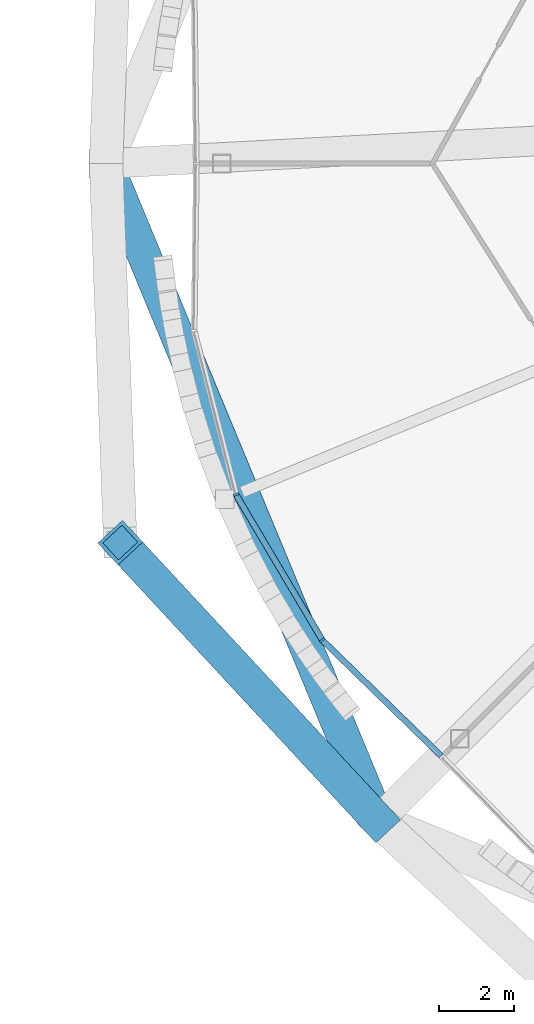
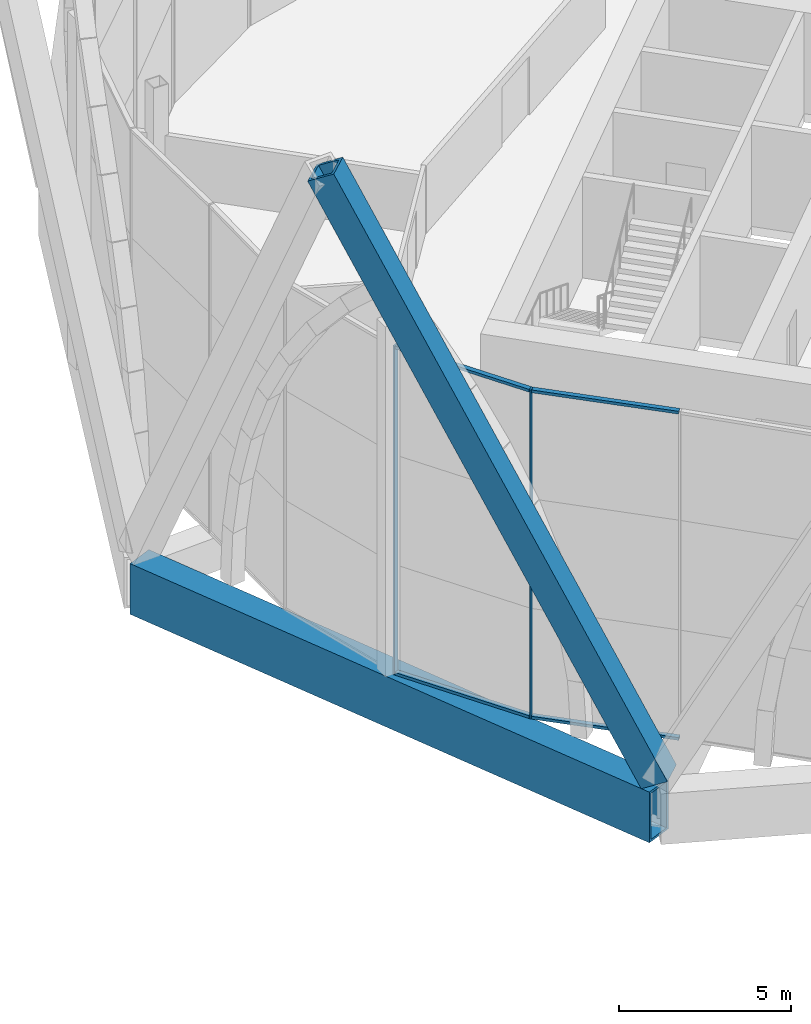
# One storey, part 14 of 37: 7 members, 1 beam, 1 element without a shape of its own.
"""IFC4 building model written with IfcOpenShell, lengths in metres."""

import ifcopenshell
import ifcopenshell.guid

model = None  # the IFC model being written
_history = None  # IfcOwnerHistory: only IFC2X3 demands one
_inside = {}  # id of a spatial element -> (the spatial element, [elements in it])
_under = {}  # id of a project, library or spatial element -> (it, [spatial elements below it])
_declared = {}  # id of a project -> (the project, [libraries it declares])
_typed = {}  # id of a type object -> (the type object, [elements of that type])
_made_of = {}  # id of a material, layer set ... -> (it, [elements and type objects made of it])


def new_model(schema):
    """Start an empty IFC model of exactly this schema.

    Asked for "IFC4X3", IfcOpenShell would pick the latest addendum, in which some entities
    have other attributes; the version numbers below select the first issue.
    IFC2X3 requires an IfcOwnerHistory on every rooted entity: one is made here for all.
    """
    global model, _history
    if schema == "IFC4X3":
        model = ifcopenshell.file(schema_version=(4, 3, 0, 0))
    else:
        model = ifcopenshell.file(schema=schema)
    _inside.clear()
    _under.clear()
    _declared.clear()
    _typed.clear()
    _made_of.clear()
    _history = None
    if model.schema == "IFC2X3":
        org = make("IfcOrganization", Name="unknown")
        user = make(
            "IfcPersonAndOrganization",
            ThePerson=make("IfcPerson", FamilyName="unknown"),
            TheOrganization=org,
        )
        app = make(
            "IfcApplication",
            ApplicationDeveloper=org,
            Version="unknown",
            ApplicationFullName="unknown",
            ApplicationIdentifier="unknown",
        )
        _history = make(
            "IfcOwnerHistory",
            OwningUser=user,
            OwningApplication=app,
            ChangeAction="ADDED",
            CreationDate=0,
        )
    return model


def make(cls, **values):
    """One entity of the class cls with the attributes given. An attribute that is None is left unset."""
    return model.create_entity(
        cls, **{name: value for name, value in values.items() if value is not None}
    )


def rooted(cls, **values):
    """An entity with a GlobalId (a new one), such as an element, a storey or a relation."""
    return make(cls, GlobalId=ifcopenshell.guid.new(), OwnerHistory=_history, **values)


def si_unit(unit_type, name, prefix=None):
    """IfcSIUnit, for example si_unit("LENGTHUNIT", "METRE", prefix="MILLI")."""
    return make("IfcSIUnit", UnitType=unit_type, Prefix=prefix, Name=name)


def assignment(units):
    """IfcUnitAssignment: the units of a project."""
    return None if units is None else make("IfcUnitAssignment", Units=units)


def point(xyz):
    """IfcCartesianPoint."""
    return None if xyz is None else make("IfcCartesianPoint", Coordinates=xyz)


def direction(xyz):
    """IfcDirection."""
    return None if xyz is None else make("IfcDirection", DirectionRatios=xyz)


def frame(location, z_axis=None, x_axis=None):
    """IfcAxis2Placement3D, a coordinate frame: its origin and axes. An axis left out is left unset."""
    return make(
        "IfcAxis2Placement3D",
        Location=point(location),
        Axis=direction(z_axis),
        RefDirection=direction(x_axis),
    )


def frame_2d(location, x_axis=None):
    """IfcAxis2Placement2D, a coordinate frame in the plane: its origin and x axis."""
    return make(
        "IfcAxis2Placement2D", Location=point(location), RefDirection=direction(x_axis)
    )


def origin():
    """The frame at (0, 0, 0) with its axes left unset."""
    return frame((0.0, 0.0, 0.0))


def origin_2d():
    """The frame at (0, 0) in the plane with its x axis left unset."""
    return frame_2d((0.0, 0.0))


def place(relative_to, where):
    """IfcLocalPlacement: puts the frame where relative to a parent placement (None: the world)."""
    return make(
        "IfcLocalPlacement", PlacementRelTo=relative_to, RelativePlacement=where
    )


def context(
    kind, dimensions, precision=None, world=None, true_north=None, identifier=None
):
    """IfcGeometricRepresentationContext, for example the 3D "Model" context."""
    return make(
        "IfcGeometricRepresentationContext",
        ContextIdentifier=identifier,
        ContextType=kind,
        CoordinateSpaceDimension=dimensions,
        Precision=precision,
        WorldCoordinateSystem=world,
        TrueNorth=true_north,
    )


def subcontext(parent, identifier, kind, view, scale=None):
    """IfcGeometricRepresentationSubContext, for example "Body" below "Model"."""
    return make(
        "IfcGeometricRepresentationSubContext",
        ContextIdentifier=identifier,
        ContextType=kind,
        ParentContext=parent,
        TargetScale=scale,
        TargetView=view,
    )


def project(units=None, contexts=None):
    """IfcProject with its units and contexts."""
    return rooted(
        "IfcProject",
        Name="project",
        RepresentationContexts=contexts,
        UnitsInContext=assignment(units),
    )


def spatial(cls, under=None, at=None, **own):
    """A site, building, storey or space (cls), placed at a placement, below another one or the project."""
    s = rooted(cls, ObjectPlacement=at, **own)
    if under is not None:
        _under.setdefault(under.id(), (under, []))[1].append(s)
    return s


def profile(cls, at=None, kind="AREA", **sizes):
    """A parametric profile (cls). Its sizes go by their IFC names, for example OverallWidth=200.0."""
    return make(cls, ProfileType=kind, Position=at, **sizes)


def rectangle(**sizes):
    """IfcRectangleProfileDef."""
    return profile("IfcRectangleProfileDef", **sizes)


def hollow_rectangle(**sizes):
    """IfcRectangleHollowProfileDef."""
    return profile("IfcRectangleHollowProfileDef", **sizes)


def extrude(swept, where, along, depth):
    """IfcExtrudedAreaSolid: the profile swept, set in the frame where, extruded along a direction by depth."""
    return make(
        "IfcExtrudedAreaSolid",
        SweptArea=swept,
        Position=where,
        ExtrudedDirection=direction(along),
        Depth=depth,
    )


def shape(context_of_items, identifier, shape_type, items):
    """IfcShapeRepresentation: the items that make up one representation, for example the "Body"."""
    return make(
        "IfcShapeRepresentation",
        ContextOfItems=context_of_items,
        RepresentationIdentifier=identifier,
        RepresentationType=shape_type,
        Items=items,
    )


def material(Name=None, Category=None):
    """IfcMaterial."""
    return make("IfcMaterial", Name=Name, Category=Category)


def material_profile(
    of_material, cross_section, Name=None, Category=None, Priority=None
):
    """IfcMaterialProfile: a cross section and its material."""
    return make(
        "IfcMaterialProfile",
        Name=Name,
        Material=of_material,
        Profile=cross_section,
        Priority=Priority,
        Category=Category,
    )


def profile_set(profiles, Name=None, composite=None):
    """IfcMaterialProfileSet."""
    return make(
        "IfcMaterialProfileSet",
        Name=Name,
        MaterialProfiles=profiles,
        CompositeProfile=composite,
    )


def made_of(thing, what):
    """Note that an element or type object is made of a material, layer set ...; save() writes the relation."""
    if what is not None:
        _made_of.setdefault(what.id(), (what, []))[1].append(thing)
    return thing


def type_object(cls, material=None, **own):
    """A type object (cls), such as IfcWallType, which elements share."""
    return made_of(rooted(cls, **own), material)


def element(
    cls,
    number,
    at=None,
    inside=None,
    cuts=None,
    type_object=None,
    material=None,
    context=None,
    identifier="Body",
    shape_type=None,
    held_by="IfcProductDefinitionShape",
    body=None,
    shapes=None,
    **own,
):
    """One element of the class cls, such as IfcWall. Its Tag is "e" and its number.

    at: its placement. inside: the storey or other place that contains it. cuts: it is an
    opening in that element (IfcRelVoidsElement). A single representation is given by context,
    identifier, shape_type and body (its items); several are given by shapes. held_by: the class
    of the entity that holds the representations. save() writes the other relations.
    """
    e = rooted(cls, Tag="e%d" % number, ObjectPlacement=at, **own)
    if body is not None:
        shapes = [shape(context, identifier, shape_type, body)]
    if shapes is not None:
        e.Representation = make(held_by, Representations=shapes)
    if inside is not None:
        _inside.setdefault(inside.id(), (inside, []))[1].append(e)
    if cuts is not None:
        rooted(
            "IfcRelVoidsElement", RelatingBuildingElement=cuts, RelatedOpeningElement=e
        )
    if type_object is not None:
        _typed.setdefault(type_object.id(), (type_object, []))[1].append(e)
    return made_of(e, material)


def aggregate(whole, parts):
    """IfcRelAggregates: a whole, such as a stair, and the parts it consists of."""
    return rooted("IfcRelAggregates", RelatingObject=whole, RelatedObjects=parts)


def save(model, path):
    """Write the relations noted so far, then the file.

    IfcRelAggregates (storeys below a building ...), IfcRelContainedInSpatialStructure (elements
    in a storey), IfcRelDefinesByType, IfcRelAssociatesMaterial and IfcRelDeclares: one each for
    every whole, place, type object, material and project.
    """
    for whole, parts in _under.values():
        aggregate(whole, parts)
    for where, things in _inside.values():
        rooted(
            "IfcRelContainedInSpatialStructure",
            RelatedElements=things,
            RelatingStructure=where,
        )
    for kind, things in _typed.values():
        rooted("IfcRelDefinesByType", RelatedObjects=things, RelatingType=kind)
    for what, things in _made_of.values():
        rooted("IfcRelAssociatesMaterial", RelatedObjects=things, RelatingMaterial=what)
    for by, libraries in _declared.values():
        rooted("IfcRelDeclares", RelatingContext=by, RelatedDefinitions=libraries)
    model.write(path)


model = new_model("IFC4")

# Units and contexts
model_context = context("Model", 3, precision=1e-05, world=origin(), true_north=direction((0.0, 1.0)))
body_context = subcontext(model_context, "Body", "Model", "MODEL_VIEW")
ifc_project = project(units=[si_unit("LENGTHUNIT", "METRE"), si_unit("AREAUNIT", "SQUARE_METRE"), si_unit("VOLUMEUNIT", "CUBIC_METRE"), si_unit("PLANEANGLEUNIT", "RADIAN"), si_unit("MASSUNIT", "GRAM", prefix="KILO")], contexts=[model_context])

# Site, building, storey
site_placement = place(None, origin())
site = spatial("IfcSite", under=ifc_project, at=site_placement, CompositionType="ELEMENT")
building_placement = place(site_placement, origin())
building = spatial("IfcBuilding", under=site, at=building_placement, Name="Ogive Gate Towers", CompositionType="ELEMENT")
storey_placement = place(building_placement, frame((0.0, 0.0, 32.39990234375)))
storey = spatial("IfcBuildingStorey", under=building, at=storey_placement, Name="L06", CompositionType="ELEMENT", Elevation=32.39990234375)

# Member
ifc_material_1 = material(Name="Steel SM460", Category="steel")
ifc_material_profile_1 = material_profile(ifc_material_1, hollow_rectangle(XDim=0.89990234375, YDim=0.89990234375, WallThickness=0.10009765625, at=origin_2d()), Name="BX 900x900x100")
ifc_profile_set_1 = profile_set([ifc_material_profile_1], Name="Steel SM460")
member_type_1 = type_object("IfcMemberType", Name="Diagrid diagonal BX 900x900x100", PredefinedType="BRACE", material=ifc_profile_set_1)
member_1_placement = place(storey_placement, frame((18.385986328125, -17.614013671875, 0.0), z_axis=(-0.31444089886, 0.338942066201, 0.886704684144), x_axis=(-0.733107278791, -0.68011301839, 0.0)))
element("IfcMember", 1, at=member_1_placement, inside=storey, type_object=member_type_1, Name="T2/L06/SDG011", PredefinedType="BRACE", context=body_context, shape_type="SweptSolid", body=[
    extrude(hollow_rectangle(XDim=0.89990234375, YDim=0.89990234375, WallThickness=0.10009765625, at=origin_2d()), origin(), (0.0, 0.0, 1.0), 21.991455078125),
])

# Beam
ifc_material_profile_2 = material_profile(ifc_material_1, hollow_rectangle(XDim=0.89990234375, YDim=1.800048828125, WallThickness=0.080078125, at=origin_2d()), Name="BX 1800x900x80")
ifc_profile_set_2 = profile_set([ifc_material_profile_2], Name="Steel SM460")
beam_type = type_object("IfcBeamType", Name="Edge girder BX 1800x900x80", PredefinedType="BEAM", material=ifc_profile_set_2)
beam_placement = place(storey_placement, frame((11.090087890625, 0.0, -1.199951171875), z_axis=(0.382680526191, -0.923880736283, 0.0), x_axis=(0.923880736283, 0.382680526191, 0.0)))
element("IfcBeam", 2, at=beam_placement, inside=storey, type_object=beam_type, Name="T2/L06/SBM024", PredefinedType="BEAM", context=body_context, shape_type="SweptSolid", body=[
    extrude(hollow_rectangle(XDim=0.89990234375, YDim=1.800048828125, WallThickness=0.080078125, at=origin_2d()), origin(), (0.0, 0.0, 1.0), 19.065185546875),
])

# Curtain wall, members
ifc_material_2 = material(Name="Pale metal aluminium", Category="aluminium")
curtain_wall_type = type_object("IfcCurtainWallType", Name="Tower unitised wall, low zone", PredefinedType="NOTDEFINED", material=ifc_material_2)
curtain_wall_placement = place(storey_placement, origin())
curtain_wall = element("IfcCurtainWall", 3, at=curtain_wall_placement, inside=storey, type_object=curtain_wall_type, Name="CW1 T2 ECW05", PredefinedType="NOTDEFINED")
ifc_material_profile_3 = material_profile(ifc_material_2, rectangle(XDim=0.159912109375, YDim=0.06005859375, at=origin_2d()), Name="60 x 160 aluminium box")
ifc_profile_set_3 = profile_set([ifc_material_profile_3], Name="Pale metal aluminium")
member_type_2 = type_object("IfcMemberType", Name="Tower unitised wall, low zone mullion 60 x 160", PredefinedType="MULLION", material=ifc_profile_set_3)
member_2_placement = place(storey_placement, frame((14.57421875, -8.874755859375, -0.2998046875), z_axis=(0.0, 0.0, 1.0), x_axis=(-0.923879532511, -0.382683432365, 0.0)))
member_2 = element("IfcMember", 4, at=member_2_placement, type_object=member_type_2, Name="CW1 mullion", PredefinedType="MULLION", context=body_context, shape_type="SweptSolid", body=[
    extrude(rectangle(XDim=0.159912109375, YDim=0.06005859375, at=origin_2d()), origin(), (0.0, 0.0, 1.0), 11.699951171875),
])
member_3_placement = place(storey_placement, frame((16.887451171875, -12.778076171875, -0.2998046875), z_axis=(0.0, 0.0, 1.0), x_axis=(-0.785759744117, -0.61853182984, 0.0)))
member_3 = element("IfcMember", 5, at=member_3_placement, type_object=member_type_2, Name="CW1 mullion", PredefinedType="MULLION", context=body_context, shape_type="SweptSolid", body=[
    extrude(rectangle(XDim=0.159912109375, YDim=0.06005859375, at=origin_2d()), origin(), (0.0, 0.0, 1.0), 11.699951171875),
])
ifc_material_profile_4 = material_profile(ifc_material_2, rectangle(XDim=0.159912109375, YDim=0.10009765625, at=origin_2d()), Name="100 x 160 aluminium box")
ifc_profile_set_4 = profile_set([ifc_material_profile_4], Name="Pale metal aluminium")
member_type_3 = type_object("IfcMemberType", Name="Tower unitised wall, low zone transom 100 x 160", PredefinedType="USERDEFINED", material=ifc_profile_set_4)
member_4_placement = place(storey_placement, frame((14.58837890625, -8.898193359375, 11.35009765625), z_axis=(0.509842699042, -0.860267645697, 0.0), x_axis=(0.860267645697, 0.509842699042, 0.0)))
member_4 = element("IfcMember", 6, at=member_4_placement, type_object=member_type_3, Name="CW1 transom", ObjectType="TRANSOM", PredefinedType="USERDEFINED", context=body_context, shape_type="SweptSolid", body=[
    extrude(rectangle(XDim=0.159912109375, YDim=0.10009765625, at=origin_2d()), origin(), (0.0, 0.0, 1.0), 4.482666015625),
])
member_5_placement = place(storey_placement, frame((14.58837890625, -8.898193359375, -0.25), z_axis=(0.509842699042, -0.860267645697, 0.0), x_axis=(0.860267645697, 0.509842699042, 0.0)))
member_5 = element("IfcMember", 7, at=member_5_placement, type_object=member_type_3, Name="CW1 transom", ObjectType="TRANSOM", PredefinedType="USERDEFINED", context=body_context, shape_type="SweptSolid", body=[
    extrude(rectangle(XDim=0.159912109375, YDim=0.10009765625, at=origin_2d()), origin(), (0.0, 0.0, 1.0), 4.482666015625),
])
member_6_placement = place(storey_placement, frame((16.9072265625, -12.797119140625, 11.35009765625), z_axis=(0.716512582651, -0.697574167313, 0.0), x_axis=(0.697574167313, 0.716512582651, 0.0)))
member_6 = element("IfcMember", 8, at=member_6_placement, type_object=member_type_3, Name="CW1 transom", ObjectType="TRANSOM", PredefinedType="USERDEFINED", context=body_context, shape_type="SweptSolid", body=[
    extrude(rectangle(XDim=0.159912109375, YDim=0.10009765625, at=origin_2d()), origin(), (0.0, 0.0, 1.0), 4.421630859375),
])
member_7_placement = place(storey_placement, frame((16.9072265625, -12.797119140625, -0.25), z_axis=(0.716512582651, -0.697574167313, 0.0), x_axis=(0.697574167313, 0.716512582651, 0.0)))
member_7 = element("IfcMember", 9, at=member_7_placement, type_object=member_type_3, Name="CW1 transom", ObjectType="TRANSOM", PredefinedType="USERDEFINED", context=body_context, shape_type="SweptSolid", body=[
    extrude(rectangle(XDim=0.159912109375, YDim=0.10009765625, at=origin_2d()), origin(), (0.0, 0.0, 1.0), 4.421630859375),
])
aggregate(curtain_wall, [member_2, member_3, member_4, member_5, member_6, member_7])

save(model, "model.ifc")
